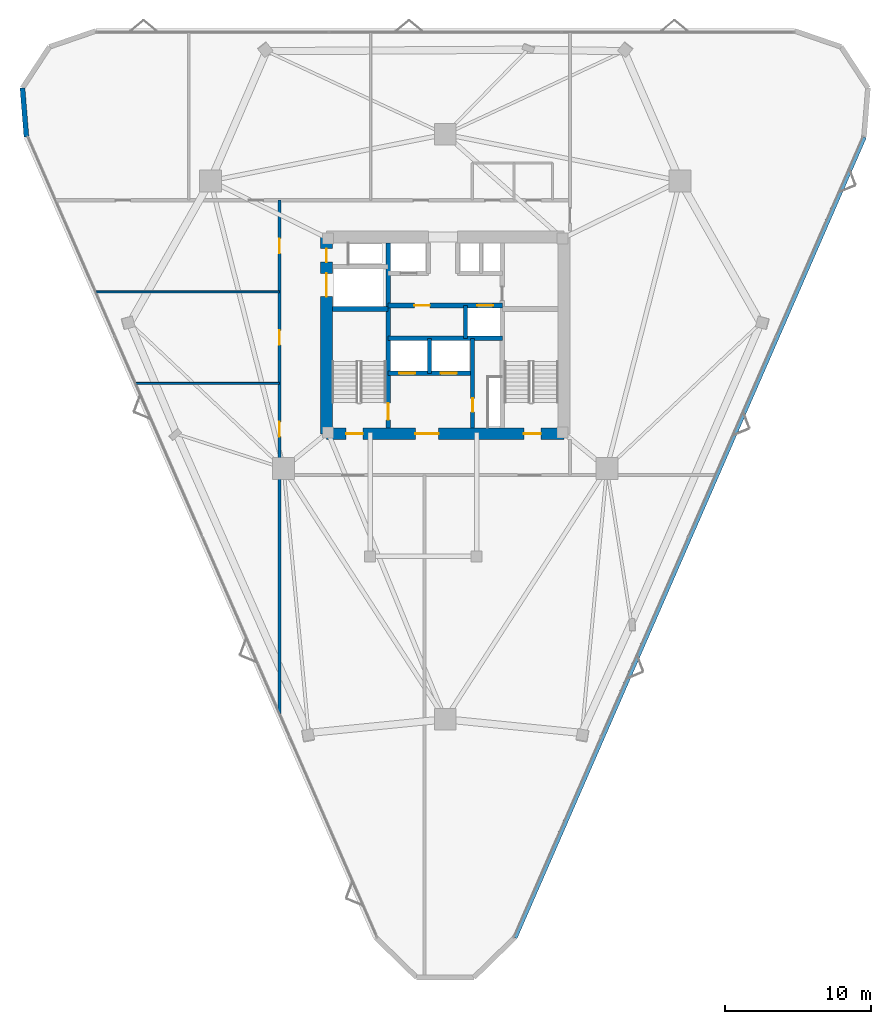
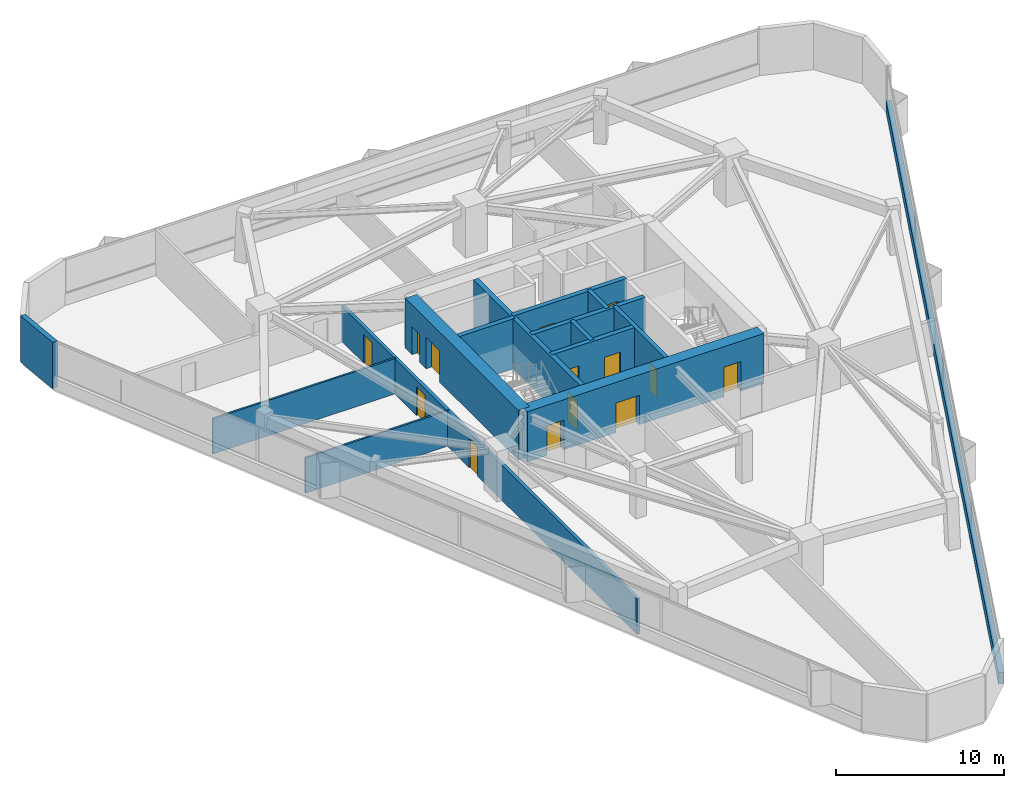
# One storey, part 12 of 14: 15 walls, 14 doors, 14 openings.
"""IFC4 building model written with IfcOpenShell, lengths in metres."""

from ifc_helpers import new_model, si_unit, direction, frame, frame_2d, origin, place, context, subcontext, project, spatial, rectangle, extrude, material, layer, layer_set, type_object, element, fill, save


model = new_model("IFC4")

# Units and contexts
model_context = context("Model", 3, precision=1e-05, world=origin(), true_north=direction((0.0, 1.0)))
body_context = subcontext(model_context, "Body", "Model", "MODEL_VIEW")
ifc_project = project(units=[si_unit("LENGTHUNIT", "METRE"), si_unit("AREAUNIT", "SQUARE_METRE"), si_unit("VOLUMEUNIT", "CUBIC_METRE"), si_unit("PLANEANGLEUNIT", "RADIAN"), si_unit("MASSUNIT", "GRAM", prefix="KILO")], contexts=[model_context])

# Site, building, storey
site_placement = place(None, origin())
site = spatial("IfcSite", under=ifc_project, at=site_placement, CompositionType="ELEMENT")
building_placement = place(site_placement, origin())
building = spatial("IfcBuilding", under=site, at=building_placement, Name="Talyreon Biosciences Tower", CompositionType="ELEMENT")
storey_placement = place(building_placement, frame((0.0, 0.0, 141.800048828125)))
storey = spatial("IfcBuildingStorey", under=building, at=storey_placement, Name="L37", CompositionType="ELEMENT", Elevation=141.800048828125)

# Wall
ifc_material_1 = material(Name="Concrete C50/60", Category="concrete")
ifc_layer_1 = layer(ifc_material_1, 0.280029296875)
ifc_layer_set_1 = layer_set([ifc_layer_1], Name="Concrete C50/60")
wall_type_1 = type_object("IfcWallType", Name="CoreShearWall_280", PredefinedType="SHEAR", material=ifc_layer_set_1)
wall_1_placement = place(storey_placement, frame((64.919921875, 65.39990234375, 0.0), z_axis=(0.0, 0.0, 1.0), x_axis=(0.0, 1.0, 0.0)))
element("IfcWall", 1, at=wall_1_placement, inside=storey, type_object=wall_type_1, Name="L37 Core Shaft Wall SWSHD1", PredefinedType="SHEAR", context=body_context, shape_type="SweptSolid", body=[
    extrude(rectangle(XDim=2.400146484375, YDim=0.280029296875, at=frame_2d((1.2001953125, 0.0))), origin(), (0.0, 0.0, 1.0), 3.64990234375),
])

# Wall, opening, door
wall_2_placement = place(storey_placement, frame((67.8798828125, 61.64990234375, 0.0), z_axis=(0.0, 0.0, 1.0), x_axis=(0.0, 1.0, 0.0)))
wall_2 = element("IfcWall", 2, at=wall_2_placement, inside=storey, type_object=wall_type_1, Name="L37 Core Shaft Wall SWFFE", PredefinedType="SHEAR", context=body_context, shape_type="SweptSolid", body=[
    extrude(rectangle(XDim=6.150146484375, YDim=0.280029296875, at=frame_2d((3.0751953125, 0.0))), origin(), (0.0, 0.0, 1.0), 3.64990234375),
])
opening_1_placement = place(wall_2_placement, frame((1.10009765625, 0.0, 0.0)))
opening_1 = element("IfcOpeningElement", 3, at=opening_1_placement, cuts=wall_2, Name="Opening DR-L37-RSE", PredefinedType="OPENING", context=body_context, shape_type="SweptSolid", body=[
    extrude(rectangle(XDim=0.919921875, YDim=2.050048828125, at=frame_2d((0.4599609375, 1.02490234375))), frame((0.0, 0.14990234375, 0.0), z_axis=(0.0, -1.0, 0.0), x_axis=(1.0, 0.0, 0.0)), (0.0, 0.0, 1.0), 0.300048828125),
])
ifc_material_2 = material(Name="Painted steel fire-rated riser door", Category="steel")
door_type_1 = type_object("IfcDoorType", Name="RiserPlantAccessDoor_920x2050", OperationType="NOTDEFINED", PredefinedType="DOOR", material=ifc_material_2)
door_1_placement = place(opening_1_placement, origin())
door_1 = element("IfcDoor", 4, at=door_1_placement, inside=storey, type_object=door_type_1, Name="L37 Core Door DR-L37-RSE", OperationType="SINGLE_SWING_RIGHT", OverallHeight=2.050048828125, OverallWidth=0.919921875, PredefinedType="DOOR", context=body_context, shape_type="SweptSolid", body=[
    extrude(rectangle(XDim=0.919921875, YDim=2.050048828125, at=frame_2d((0.4599609375, 1.02490234375))), frame((0.0, 0.02490234375, 0.0), z_axis=(0.0, -1.0, 0.0), x_axis=(1.0, 0.0, 0.0)), (0.0, 0.0, 1.0), 0.050048828125),
])
fill(opening_1, door_1)

# Wall
wall_3_placement = place(storey_placement, frame((67.3798828125, 67.800048828125, 0.0), z_axis=(0.0, 0.0, 1.0), x_axis=(0.0, 1.0, 0.0)))
element("IfcWall", 5, at=wall_3_placement, inside=storey, type_object=wall_type_1, Name="L37 Core Shaft Wall SWPMD", PredefinedType="SHEAR", context=body_context, shape_type="SweptSolid", body=[
    extrude(rectangle(XDim=2.25, YDim=0.280029296875, at=frame_2d((1.125, 0.0))), origin(), (0.0, 0.0, 1.0), 3.64990234375),
])

# Wall, opening, door
ifc_layer_2 = layer(ifc_material_1, 0.320068359375)
ifc_layer_set_2 = layer_set([ifc_layer_2], Name="Concrete C50/60")
wall_type_2 = type_object("IfcWallType", Name="CoreShearWall_320", PredefinedType="SHEAR", material=ifc_layer_set_2)
wall_4_placement = place(storey_placement, frame((62.090087890625, 61.64990234375, 0.0), z_axis=(0.0, 0.0, 1.0), x_axis=(0.0, 1.0, 0.0)))
wall_4 = element("IfcWall", 6, at=wall_4_placement, inside=storey, type_object=wall_type_2, Name="L37 Core Shaft Wall SW1E", PredefinedType="SHEAR", context=body_context, shape_type="SweptSolid", body=[
    extrude(rectangle(XDim=12.7001953125, YDim=0.320068359375, at=frame_2d((6.35009765625, 0.0))), origin(), (0.0, 0.0, 1.0), 3.64990234375),
])
opening_2_placement = place(wall_4_placement, frame((0.550048828125, 0.0, 0.0)))
opening_2 = element("IfcOpeningElement", 7, at=opening_2_placement, cuts=wall_4, Name="Opening DR-L37-FF-ST1", PredefinedType="OPENING", context=body_context, shape_type="SweptSolid", body=[
    extrude(rectangle(XDim=1.14990234375, YDim=2.14990234375, at=frame_2d((0.574951171875, 1.074951171875))), frame((0.0, 0.169921875, 0.0), z_axis=(0.0, -1.0, 0.0), x_axis=(1.0, 0.0, 0.0)), (0.0, 0.0, 1.0), 0.340087890625),
])
ifc_material_3 = material(Name="Painted steel fire door", Category="steel")
door_type_2 = type_object("IfcDoorType", Name="StairShaftFireDoor_1150x2150", OperationType="NOTDEFINED", PredefinedType="DOOR", material=ifc_material_3)
door_2_placement = place(opening_2_placement, origin())
door_2 = element("IfcDoor", 8, at=door_2_placement, inside=storey, type_object=door_type_2, Name="L37 Core Door DR-L37-FF-ST1", OperationType="SINGLE_SWING_LEFT", OverallHeight=2.14990234375, OverallWidth=1.14990234375, PredefinedType="DOOR", context=body_context, shape_type="SweptSolid", body=[
    extrude(rectangle(XDim=1.14990234375, YDim=2.14990234375, at=frame_2d((0.574951171875, 1.074951171875))), frame((0.0, 0.02490234375, 0.0), z_axis=(0.0, -1.0, 0.0), x_axis=(1.0, 0.0, 0.0)), (0.0, 0.0, 1.0), 0.050048828125),
])
fill(opening_2, door_2)

# Walls
wall_5_placement = place(storey_placement, frame((58.25, 69.81005859375, 0.0), z_axis=(0.0, 0.0, 1.0), x_axis=(1.0, 0.0, 0.0)))
element("IfcWall", 9, at=wall_5_placement, inside=storey, type_object=wall_type_2, Name="L37 Core Shaft Wall SW1N", PredefinedType="SHEAR", context=body_context, shape_type="SweptSolid", body=[
    extrude(rectangle(XDim=3.840087890625, YDim=0.320068359375, at=frame_2d((1.919921875, 0.0))), origin(), (0.0, 0.0, 1.0), 3.64990234375),
])
wall_6_placement = place(storey_placement, frame((62.090087890625, 67.800048828125, 0.0), z_axis=(0.0, 0.0, 1.0), x_axis=(1.0, 0.0, 0.0)))
element("IfcWall", 10, at=wall_6_placement, inside=storey, type_object=wall_type_2, Name="L37 Core Shaft Wall SWSHM", PredefinedType="SHEAR", context=body_context, shape_type="SweptSolid", body=[
    extrude(rectangle(XDim=7.81982421875, YDim=0.320068359375, at=frame_2d((3.909912109375, 0.0))), origin(), (0.0, 0.0, 1.0), 3.64990234375),
])

# Wall, openings, doors
wall_7_placement = place(storey_placement, frame((62.090087890625, 70.050048828125, 0.0), z_axis=(0.0, 0.0, 1.0), x_axis=(1.0, 0.0, 0.0)))
wall_7 = element("IfcWall", 11, at=wall_7_placement, inside=storey, type_object=wall_type_2, Name="L37 Core Shaft Wall SWSPN", PredefinedType="SHEAR", context=body_context, shape_type="SweptSolid", body=[
    extrude(rectangle(XDim=7.81982421875, YDim=0.320068359375, at=frame_2d((3.909912109375, 0.0))), origin(), (0.0, 0.0, 1.0), 3.64990234375),
])
opening_3_placement = place(wall_7_placement, frame((1.800048828125, 0.0, 0.0)))
opening_3 = element("IfcOpeningElement", 12, at=opening_3_placement, cuts=wall_7, Name="Opening DR-L37-PLFREE-A", PredefinedType="OPENING", context=body_context, shape_type="SweptSolid", body=[
    extrude(rectangle(XDim=1.050048828125, YDim=2.14990234375, at=frame_2d((0.52490234375, 1.074951171875))), frame((0.0, 0.169921875, 0.0), z_axis=(0.0, -1.0, 0.0), x_axis=(1.0, 0.0, 0.0)), (0.0, 0.0, 1.0), 0.340087890625),
])
opening_4_placement = place(wall_7_placement, frame((6.10009765625, 0.0, 0.0)))
opening_4 = element("IfcOpeningElement", 13, at=opening_4_placement, cuts=wall_7, Name="Opening LD-L37-PM1", PredefinedType="OPENING", context=body_context, shape_type="SweptSolid", body=[
    extrude(rectangle(XDim=1.10009765625, YDim=2.199951171875, at=frame_2d((0.550048828125, 1.10009765625))), frame((0.0, 0.169921875, 0.0), z_axis=(0.0, -1.0, 0.0), x_axis=(1.0, 0.0, 0.0)), (0.0, 0.0, 1.0), 0.340087890625),
])
ifc_material_4 = material(Name="Acoustic timber-core laboratory door", Category="wood")
door_type_3 = type_object("IfcDoorType", Name="DryLabSingleDoor_1050x2150", OperationType="NOTDEFINED", PredefinedType="DOOR", material=ifc_material_4)
door_3_placement = place(opening_3_placement, origin())
door_3 = element("IfcDoor", 14, at=door_3_placement, inside=storey, type_object=door_type_3, Name="L37 Core Door DR-L37-PLFREE-A", OperationType="SINGLE_SWING_LEFT", OverallHeight=2.14990234375, OverallWidth=1.050048828125, PredefinedType="DOOR", context=body_context, shape_type="SweptSolid", body=[
    extrude(rectangle(XDim=1.050048828125, YDim=2.14990234375, at=frame_2d((0.52490234375, 1.074951171875))), frame((0.0, 0.02490234375, 0.0), z_axis=(0.0, -1.0, 0.0), x_axis=(1.0, 0.0, 0.0)), (0.0, 0.0, 1.0), 0.050048828125),
])
fill(opening_3, door_3)
ifc_material_5 = material(Name="Brushed stainless-steel lift landing door", Category="steel")
door_type_4 = type_object("IfcDoorType", Name="LiftSlidingLandingDoor_1100x2200", OperationType="SLIDING_TO_LEFT", PredefinedType="DOOR", material=ifc_material_5)
door_4_placement = place(opening_4_placement, origin())
door_4 = element("IfcDoor", 15, at=door_4_placement, inside=storey, type_object=door_type_4, Name="L37 Core Door LD-L37-PM1", OperationType="SLIDING_TO_LEFT", OverallHeight=2.199951171875, OverallWidth=1.10009765625, PredefinedType="DOOR", context=body_context, shape_type="SweptSolid", body=[
    extrude(rectangle(XDim=1.10009765625, YDim=2.199951171875, at=frame_2d((0.550048828125, 1.10009765625))), frame((0.0, 0.02490234375, 0.0), z_axis=(0.0, -1.0, 0.0), x_axis=(1.0, 0.0, 0.0)), (0.0, 0.0, 1.0), 0.050048828125),
])
fill(opening_4, door_4)

wall_8_placement = place(storey_placement, frame((62.090087890625, 65.39990234375, 0.0), z_axis=(0.0, 0.0, 1.0), x_axis=(1.0, 0.0, 0.0)))
wall_8 = element("IfcWall", 16, at=wall_8_placement, inside=storey, type_object=wall_type_2, Name="L37 Core Shaft Wall SWFFN", PredefinedType="SHEAR", context=body_context, shape_type="SweptSolid", body=[
    extrude(rectangle(XDim=5.789794921875, YDim=0.320068359375, at=frame_2d((2.89501953125, 0.0))), origin(), (0.0, 0.0, 1.0), 3.64990234375),
])
opening_5_placement = place(wall_8_placement, frame((0.75, 0.0, 0.0)))
opening_5 = element("IfcOpeningElement", 17, at=opening_5_placement, cuts=wall_8, Name="Opening LD-L37-FL1", PredefinedType="OPENING", context=body_context, shape_type="SweptSolid", body=[
    extrude(rectangle(XDim=1.10009765625, YDim=2.199951171875, at=frame_2d((0.550048828125, 1.10009765625))), frame((0.0, 0.169921875, 0.0), z_axis=(0.0, -1.0, 0.0), x_axis=(1.0, 0.0, 0.0)), (0.0, 0.0, 1.0), 0.340087890625),
])
opening_6_placement = place(wall_8_placement, frame((3.60009765625, 0.0, 0.0)))
opening_6 = element("IfcOpeningElement", 18, at=opening_6_placement, cuts=wall_8, Name="Opening LD-L37-FL2", PredefinedType="OPENING", context=body_context, shape_type="SweptSolid", body=[
    extrude(rectangle(XDim=1.10009765625, YDim=2.199951171875, at=frame_2d((0.550048828125, 1.10009765625))), frame((0.0, 0.169921875, 0.0), z_axis=(0.0, -1.0, 0.0), x_axis=(1.0, 0.0, 0.0)), (0.0, 0.0, 1.0), 0.340087890625),
])
door_5_placement = place(opening_5_placement, origin())
door_5 = element("IfcDoor", 19, at=door_5_placement, inside=storey, type_object=door_type_4, Name="L37 Core Door LD-L37-FL1", OperationType="SLIDING_TO_LEFT", OverallHeight=2.199951171875, OverallWidth=1.10009765625, PredefinedType="DOOR", context=body_context, shape_type="SweptSolid", body=[
    extrude(rectangle(XDim=1.10009765625, YDim=2.199951171875, at=frame_2d((0.550048828125, 1.10009765625))), frame((0.0, 0.02490234375, 0.0), z_axis=(0.0, -1.0, 0.0), x_axis=(1.0, 0.0, 0.0)), (0.0, 0.0, 1.0), 0.050048828125),
])
fill(opening_5, door_5)
door_6_placement = place(opening_6_placement, origin())
door_6 = element("IfcDoor", 20, at=door_6_placement, inside=storey, type_object=door_type_4, Name="L37 Core Door LD-L37-FL2", OperationType="SLIDING_TO_LEFT", OverallHeight=2.199951171875, OverallWidth=1.10009765625, PredefinedType="DOOR", context=body_context, shape_type="SweptSolid", body=[
    extrude(rectangle(XDim=1.10009765625, YDim=2.199951171875, at=frame_2d((0.550048828125, 1.10009765625))), frame((0.0, 0.02490234375, 0.0), z_axis=(0.0, -1.0, 0.0), x_axis=(1.0, 0.0, 0.0)), (0.0, 0.0, 1.0), 0.050048828125),
])
fill(opening_6, door_6)

ifc_material_6 = material(Name="Concrete C60/75", Category="concrete")
ifc_layer_3 = layer(ifc_material_6, 0.800048828125)
ifc_layer_set_3 = layer_set([ifc_layer_3], Name="Concrete C60/75")
wall_type_3 = type_object("IfcWallType", Name="CoreShearWall_800", PredefinedType="SHEAR", material=ifc_layer_set_3)
wall_9_placement = place(storey_placement, frame((57.85009765625, 61.25, 0.0), z_axis=(0.0, 0.0, 1.0), x_axis=(1.0, 0.0, 0.0)))
wall_9 = element("IfcWall", 21, at=wall_9_placement, inside=storey, type_object=wall_type_3, Name="L37 Core Shear Wall S", PredefinedType="SHEAR", context=body_context, shape_type="SweptSolid", body=[
    extrude(rectangle(XDim=16.2998046875, YDim=0.800048828125, at=frame_2d((8.14990234375, 0.0))), origin(), (0.0, 0.0, 1.0), 3.64990234375),
])
opening_7_placement = place(wall_9_placement, frame((1.35009765625, 0.0, 0.0)))
opening_7 = element("IfcOpeningElement", 22, at=opening_7_placement, cuts=wall_9, Name="Opening DR-L37-ST1", PredefinedType="OPENING", context=body_context, shape_type="SweptSolid", body=[
    extrude(rectangle(XDim=1.14990234375, YDim=2.14990234375, at=frame_2d((0.574951171875, 1.074951171875))), frame((0.0, 0.409912109375, 0.0), z_axis=(0.0, -1.0, 0.0), x_axis=(1.0, 0.0, 0.0)), (0.0, 0.0, 1.0), 0.820068359375),
])
opening_8_placement = place(wall_9_placement, frame((6.10009765625, 0.0, 0.0)))
opening_8 = element("IfcOpeningElement", 23, at=opening_8_placement, cuts=wall_9, Name="Opening DR-L37-FFL", PredefinedType="OPENING", context=body_context, shape_type="SweptSolid", body=[
    extrude(rectangle(XDim=1.60009765625, YDim=2.14990234375, at=frame_2d((0.800048828125, 1.074951171875))), frame((0.0, 0.409912109375, 0.0), z_axis=(0.0, -1.0, 0.0), x_axis=(1.0, 0.0, 0.0)), (0.0, 0.0, 1.0), 0.820068359375),
])
opening_9_placement = place(wall_9_placement, frame((13.550048828125, 0.0, 0.0)))
opening_9 = element("IfcOpeningElement", 24, at=opening_9_placement, cuts=wall_9, Name="Opening DR-L37-ST2", PredefinedType="OPENING", context=body_context, shape_type="SweptSolid", body=[
    extrude(rectangle(XDim=1.14990234375, YDim=2.14990234375, at=frame_2d((0.574951171875, 1.074951171875))), frame((0.0, 0.409912109375, 0.0), z_axis=(0.0, -1.0, 0.0), x_axis=(1.0, 0.0, 0.0)), (0.0, 0.0, 1.0), 0.820068359375),
])
ifc_material_7 = material(Name="Painted steel smoke-seal fire door", Category="steel")
door_type_5 = type_object("IfcDoorType", Name="FirefightingLobbyDoubleDoor_1600x2150", OperationType="DOUBLE_DOOR_SINGLE_SWING", PredefinedType="DOOR", material=ifc_material_7)
door_7_placement = place(opening_8_placement, origin())
door_7 = element("IfcDoor", 25, at=door_7_placement, inside=storey, type_object=door_type_5, Name="L37 Core Door DR-L37-FFL", OperationType="DOUBLE_DOOR_SINGLE_SWING", OverallHeight=2.14990234375, OverallWidth=1.60009765625, PredefinedType="DOOR", context=body_context, shape_type="SweptSolid", body=[
    extrude(rectangle(XDim=1.60009765625, YDim=2.14990234375, at=frame_2d((0.800048828125, 1.074951171875))), frame((0.0, 0.02490234375, 0.0), z_axis=(0.0, -1.0, 0.0), x_axis=(1.0, 0.0, 0.0)), (0.0, 0.0, 1.0), 0.050048828125),
])
fill(opening_8, door_7)
door_8_placement = place(opening_7_placement, origin())
door_8 = element("IfcDoor", 26, at=door_8_placement, inside=storey, type_object=door_type_2, Name="L37 Core Door DR-L37-ST1", OperationType="SINGLE_SWING_LEFT", OverallHeight=2.14990234375, OverallWidth=1.14990234375, PredefinedType="DOOR", context=body_context, shape_type="SweptSolid", body=[
    extrude(rectangle(XDim=1.14990234375, YDim=2.14990234375, at=frame_2d((0.574951171875, 1.074951171875))), frame((0.0, 0.02490234375, 0.0), z_axis=(0.0, -1.0, 0.0), x_axis=(1.0, 0.0, 0.0)), (0.0, 0.0, 1.0), 0.050048828125),
])
fill(opening_7, door_8)
door_9_placement = place(opening_9_placement, origin())
door_9 = element("IfcDoor", 27, at=door_9_placement, inside=storey, type_object=door_type_2, Name="L37 Core Door DR-L37-ST2", OperationType="SINGLE_SWING_RIGHT", OverallHeight=2.14990234375, OverallWidth=1.14990234375, PredefinedType="DOOR", context=body_context, shape_type="SweptSolid", body=[
    extrude(rectangle(XDim=1.14990234375, YDim=2.14990234375, at=frame_2d((0.574951171875, 1.074951171875))), frame((0.0, 0.02490234375, 0.0), z_axis=(0.0, -1.0, 0.0), x_axis=(1.0, 0.0, 0.0)), (0.0, 0.0, 1.0), 0.050048828125),
])
fill(opening_9, door_9)

wall_10_placement = place(storey_placement, frame((57.85009765625, 74.75, 0.0), z_axis=(0.0, 0.0, 1.0), x_axis=(0.0, -1.0, 0.0)))
wall_10 = element("IfcWall", 28, at=wall_10_placement, inside=storey, type_object=wall_type_3, Name="L37 Core Shear Wall W", PredefinedType="SHEAR", context=body_context, shape_type="SweptSolid", body=[
    extrude(rectangle(XDim=13.5, YDim=0.800048828125, at=frame_2d((6.75, 0.0))), origin(), (0.0, 0.0, 1.0), 3.64990234375),
])
opening_10_placement = place(wall_10_placement, frame((0.800048828125, 0.0, 0.0)))
opening_10 = element("IfcOpeningElement", 29, at=opening_10_placement, cuts=wall_10, Name="Opening DR-L37-RSW", PredefinedType="OPENING", context=body_context, shape_type="SweptSolid", body=[
    extrude(rectangle(XDim=0.919921875, YDim=2.050048828125, at=frame_2d((0.4599609375, 1.02490234375))), frame((0.0, 0.409912109375, 0.0), z_axis=(0.0, -1.0, 0.0), x_axis=(1.0, 0.0, 0.0)), (0.0, 0.0, 1.0), 0.820068359375),
])
opening_11_placement = place(wall_10_placement, frame((2.5, 0.0, 0.0)))
opening_11 = element("IfcOpeningElement", 30, at=opening_11_placement, cuts=wall_10, Name="Opening LD-L37-GL1", PredefinedType="OPENING", context=body_context, shape_type="SweptSolid", body=[
    extrude(rectangle(XDim=1.60009765625, YDim=2.300048828125, at=frame_2d((0.800048828125, 1.14990234375))), frame((0.0, 0.409912109375, 0.0), z_axis=(0.0, -1.0, 0.0), x_axis=(1.0, 0.0, 0.0)), (0.0, 0.0, 1.0), 0.820068359375),
])
ifc_material_8 = material(Name="Heavy-duty stainless-steel goods lift door", Category="steel")
door_type_6 = type_object("IfcDoorType", Name="GoodsLiftSlidingDoor_1600x2300", OperationType="DOUBLE_DOOR_SLIDING", PredefinedType="DOOR", material=ifc_material_8)
door_10_placement = place(opening_11_placement, origin())
door_10 = element("IfcDoor", 31, at=door_10_placement, inside=storey, type_object=door_type_6, Name="L37 Core Door LD-L37-GL1", OperationType="DOUBLE_DOOR_SLIDING", OverallHeight=2.300048828125, OverallWidth=1.60009765625, PredefinedType="DOOR", context=body_context, shape_type="SweptSolid", body=[
    extrude(rectangle(XDim=1.60009765625, YDim=2.300048828125, at=frame_2d((0.800048828125, 1.14990234375))), frame((0.0, 0.02490234375, 0.0), z_axis=(0.0, -1.0, 0.0), x_axis=(1.0, 0.0, 0.0)), (0.0, 0.0, 1.0), 0.050048828125),
])
fill(opening_11, door_10)
door_11_placement = place(opening_10_placement, origin())
door_11 = element("IfcDoor", 32, at=door_11_placement, inside=storey, type_object=door_type_1, Name="L37 Core Door DR-L37-RSW", OperationType="SINGLE_SWING_LEFT", OverallHeight=2.050048828125, OverallWidth=0.919921875, PredefinedType="DOOR", context=body_context, shape_type="SweptSolid", body=[
    extrude(rectangle(XDim=0.919921875, YDim=2.050048828125, at=frame_2d((0.4599609375, 1.02490234375))), frame((0.0, 0.02490234375, 0.0), z_axis=(0.0, -1.0, 0.0), x_axis=(1.0, 0.0, 0.0)), (0.0, 0.0, 1.0), 0.050048828125),
])
fill(opening_10, door_11)

ifc_material_9 = material(Name="Gypsum fireboard acoustic stud", Category="gypsum")
ifc_layer_4 = layer(ifc_material_9, 0.219970703125)
ifc_layer_set_4 = layer_set([ifc_layer_4], Name="Gypsum fireboard acoustic stud")
wall_type_4 = type_object("IfcWallType", Name="CorridorRatedPartition_220", PredefinedType="PARTITIONING", material=ifc_layer_set_4)
wall_11_placement = place(storey_placement, frame((54.6298828125, 42.04296875, 0.0), z_axis=(0.0, 0.0, 1.0), x_axis=(0.0, 1.0, 0.0)))
wall_11 = element("IfcWall", 33, at=wall_11_placement, inside=storey, type_object=wall_type_4, Name="L37 Interior Wall IW-L37-COR-W", PredefinedType="PARTITIONING", context=body_context, shape_type="SweptSolid", body=[
    extrude(rectangle(XDim=35.22705078125, YDim=0.219970703125, at=frame_2d((17.613525390625, 0.0))), origin(), (0.0, 0.0, 1.0), 2.574951171875),
])
opening_12_placement = place(wall_11_placement, frame((19.01904296875, 0.0, 0.0)))
opening_12 = element("IfcOpeningElement", 34, at=opening_12_placement, cuts=wall_11, Name="Opening DR-L37-W1A", PredefinedType="OPENING", context=body_context, shape_type="SweptSolid", body=[
    extrude(rectangle(XDim=1.0, YDim=2.10009765625, at=frame_2d((0.5, 1.050048828125))), frame((0.0, 0.119873046875, 0.0), z_axis=(0.0, -1.0, 0.0), x_axis=(1.0, 0.0, 0.0)), (0.0, 0.0, 1.0), 0.239990234375),
])
opening_13_placement = place(wall_11_placement, frame((25.302001953125, 0.0, 0.0)))
opening_13 = element("IfcOpeningElement", 35, at=opening_13_placement, cuts=wall_11, Name="Opening DR-L37-W2A", PredefinedType="OPENING", context=body_context, shape_type="SweptSolid", body=[
    extrude(rectangle(XDim=1.0, YDim=2.10009765625, at=frame_2d((0.5, 1.050048828125))), frame((0.0, 0.119873046875, 0.0), z_axis=(0.0, -1.0, 0.0), x_axis=(1.0, 0.0, 0.0)), (0.0, 0.0, 1.0), 0.239990234375),
])
opening_14_placement = place(wall_11_placement, frame((31.5859375, 0.0, 0.0)))
opening_14 = element("IfcOpeningElement", 36, at=opening_14_placement, cuts=wall_11, Name="Opening DR-L37-W3A", PredefinedType="OPENING", context=body_context, shape_type="SweptSolid", body=[
    extrude(rectangle(XDim=1.0, YDim=2.10009765625, at=frame_2d((0.5, 1.050048828125))), frame((0.0, 0.119873046875, 0.0), z_axis=(0.0, -1.0, 0.0), x_axis=(1.0, 0.0, 0.0)), (0.0, 0.0, 1.0), 0.239990234375),
])
ifc_material_10 = material(Name="Acoustic oak veneer office door", Category="wood")
door_type_7 = type_object("IfcDoorType", Name="WriteupOfficeDoor_1000x2100", OperationType="NOTDEFINED", PredefinedType="DOOR", material=ifc_material_10)
door_12_placement = place(opening_12_placement, origin())
door_12 = element("IfcDoor", 37, at=door_12_placement, inside=storey, type_object=door_type_7, Name="L37 Interior Door DR-L37-W1A", OperationType="SINGLE_SWING_LEFT", OverallHeight=2.10009765625, OverallWidth=1.0, PredefinedType="DOOR", context=body_context, shape_type="SweptSolid", body=[
    extrude(rectangle(XDim=1.0, YDim=2.10009765625, at=frame_2d((0.5, 1.050048828125))), frame((0.0, 0.02490234375, 0.0), z_axis=(0.0, -1.0, 0.0), x_axis=(1.0, 0.0, 0.0)), (0.0, 0.0, 1.0), 0.050048828125),
])
fill(opening_12, door_12)
door_13_placement = place(opening_13_placement, origin())
door_13 = element("IfcDoor", 38, at=door_13_placement, inside=storey, type_object=door_type_7, Name="L37 Interior Door DR-L37-W2A", OperationType="SINGLE_SWING_LEFT", OverallHeight=2.10009765625, OverallWidth=1.0, PredefinedType="DOOR", context=body_context, shape_type="SweptSolid", body=[
    extrude(rectangle(XDim=1.0, YDim=2.10009765625, at=frame_2d((0.5, 1.050048828125))), frame((0.0, 0.02490234375, 0.0), z_axis=(0.0, -1.0, 0.0), x_axis=(1.0, 0.0, 0.0)), (0.0, 0.0, 1.0), 0.050048828125),
])
fill(opening_13, door_13)
door_14_placement = place(opening_14_placement, origin())
door_14 = element("IfcDoor", 39, at=door_14_placement, inside=storey, type_object=door_type_7, Name="L37 Interior Door DR-L37-W3A", OperationType="SINGLE_SWING_LEFT", OverallHeight=2.10009765625, OverallWidth=1.0, PredefinedType="DOOR", context=body_context, shape_type="SweptSolid", body=[
    extrude(rectangle(XDim=1.0, YDim=2.10009765625, at=frame_2d((0.5, 1.050048828125))), frame((0.0, 0.02490234375, 0.0), z_axis=(0.0, -1.0, 0.0), x_axis=(1.0, 0.0, 0.0)), (0.0, 0.0, 1.0), 0.050048828125),
])
fill(opening_14, door_14)

# Walls
ifc_material_11 = material(Name="Gypsum acoustic stud partition", Category="gypsum")
ifc_layer_5 = layer(ifc_material_11, 0.1298828125)
ifc_layer_set_5 = layer_set([ifc_layer_5], Name="Gypsum acoustic stud partition")
wall_type_5 = type_object("IfcWallType", Name="OfficeWriteupPartition_130", PredefinedType="PARTITIONING", material=ifc_layer_set_5)
wall_12_placement = place(storey_placement, frame((44.743896484375, 64.702880859375, 0.0), z_axis=(0.0, 0.0, 1.0), x_axis=(1.0, 0.0, 0.0)))
element("IfcWall", 40, at=wall_12_placement, inside=storey, type_object=wall_type_5, Name="L37 Interior Wall IW-L37-WDIV1", PredefinedType="PARTITIONING", context=body_context, shape_type="SweptSolid", body=[
    extrude(rectangle(XDim=9.885986328125, YDim=0.1298828125, at=frame_2d((4.94287109375, 0.0))), origin(), (0.0, 0.0, 1.0), 2.574951171875),
])
wall_13_placement = place(storey_placement, frame((42.002197265625, 70.987060546875, 0.0), z_axis=(0.0, 0.0, 1.0), x_axis=(1.0, 0.0, 0.0)))
element("IfcWall", 41, at=wall_13_placement, inside=storey, type_object=wall_type_5, Name="L37 Interior Wall IW-L37-WDIV2", PredefinedType="PARTITIONING", context=body_context, shape_type="SweptSolid", body=[
    extrude(rectangle(XDim=12.627685546875, YDim=0.1298828125, at=frame_2d((6.31396484375, 0.0))), origin(), (0.0, 0.0, 1.0), 2.574951171875),
])
ifc_material_12 = material(Name="Precast concrete C45/55", Category="concrete")
ifc_layer_6 = layer(ifc_material_12, 0.340087890625)
ifc_layer_set_6 = layer_set([ifc_layer_6], Name="Precast concrete C45/55")
wall_type_6 = type_object("IfcWallType", Name="PrecastConcreteSpandrelWall_340", PredefinedType="STANDARD", material=ifc_layer_set_6)
wall_14_placement = place(storey_placement, frame((37.276123046875, 81.606689453125, 0.0), z_axis=(0.0, 0.0, 1.0), x_axis=(-0.080901359233, 0.996722112765, 0.0)))
element("IfcWall", 42, at=wall_14_placement, inside=storey, type_object=wall_type_6, Name="L37 Rounded-Corner Concrete Pier 01", PredefinedType="STANDARD", context=body_context, shape_type="SweptSolid", body=[
    extrude(rectangle(XDim=3.373779296875, YDim=0.340087890625, at=frame_2d((1.68701171875, 0.0))), origin(), (0.0, 0.0, 1.0), 3.375),
])
wall_15_placement = place(storey_placement, frame((94.723876953125, 81.606689453125, 0.0), z_axis=(0.0, 0.0, 1.0), x_axis=(-0.399884020411, -0.916565747898, 0.0)))
element("IfcWall", 43, at=wall_15_placement, inside=storey, type_object=wall_type_6, Name="L37 Expressed Concrete Sill Wall 08", PredefinedType="STANDARD", context=body_context, shape_type="SweptSolid", body=[
    extrude(rectangle(XDim=59.911865234375, YDim=0.340087890625, at=frame_2d((29.9560546875, 0.0))), origin(), (0.0, 0.0, 1.0), 0.849853515625),
])

save(model, "model.ifc")
